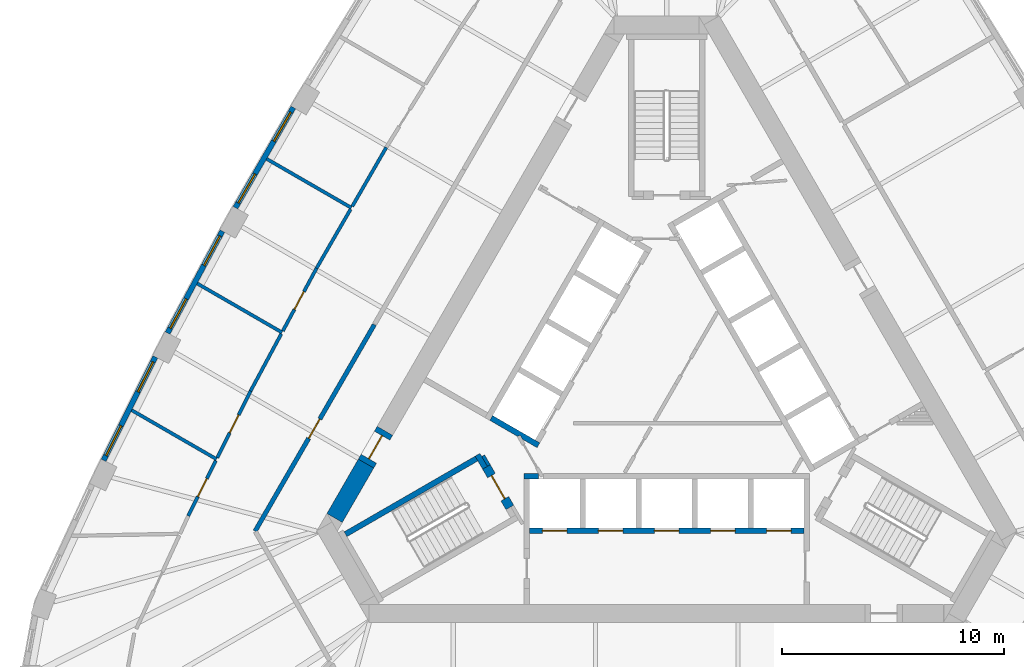
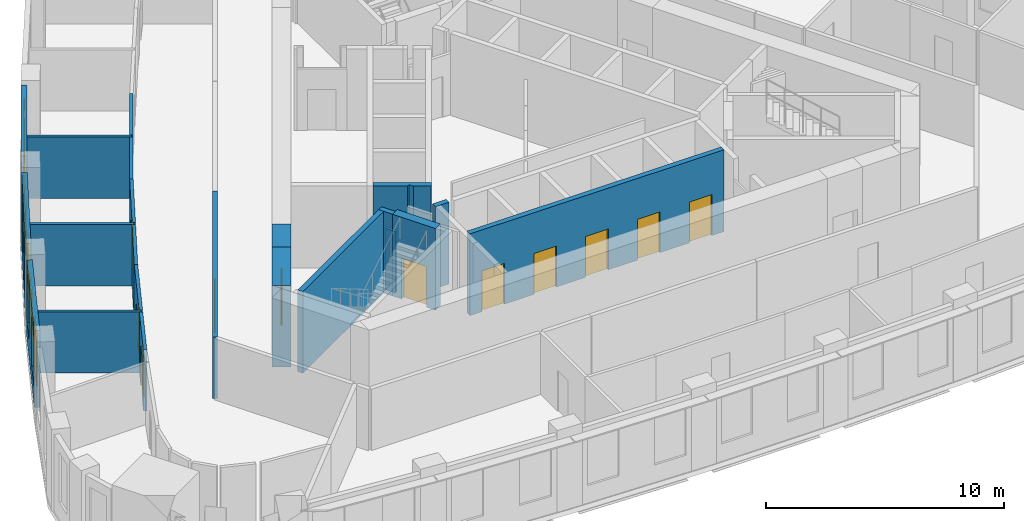
# One storey, part 4 of 11: 22 walls, 11 doors, 6 windows, 17 openings.
"""IFC4 building model written with IfcOpenShell, lengths in metres."""

from ifc_helpers import new_model, si_unit, direction, frame, frame_2d, origin, place, context, subcontext, project, spatial, polyline, rectangle, outline, extrude, material, layer, layer_set, type_object, element, fill, save


model = new_model("IFC4")

# Units and contexts
model_context = context("Model", 3, precision=1e-05, world=origin(), true_north=direction((0.0, 1.0)))
body_context = subcontext(model_context, "Body", "Model", "MODEL_VIEW")
ifc_project = project(units=[si_unit("LENGTHUNIT", "METRE"), si_unit("AREAUNIT", "SQUARE_METRE"), si_unit("VOLUMEUNIT", "CUBIC_METRE"), si_unit("PLANEANGLEUNIT", "RADIAN"), si_unit("MASSUNIT", "GRAM", prefix="KILO")], contexts=[model_context])

# Site, building, storey
site_placement = place(None, origin())
site = spatial("IfcSite", under=ifc_project, at=site_placement, CompositionType="ELEMENT")
building_placement = place(site_placement, origin())
building = spatial("IfcBuilding", under=site, at=building_placement, Name="Mestral Congress Tower", CompositionType="ELEMENT")
storey_placement = place(building_placement, frame((0.0, 0.0, 175.199951171875)))
storey = spatial("IfcBuildingStorey", under=building, at=storey_placement, Name="L41", CompositionType="ELEMENT", Elevation=175.199951171875)

# Walls
ifc_material_1 = material(Name="Fire-rated board partition")
ifc_layer_1 = layer(ifc_material_1, 0.14990234375)
ifc_layer_set_1 = layer_set([ifc_layer_1], Name="Fire-rated board partition")
wall_type_1 = type_object("IfcWallType", Name="Core partition 150", PredefinedType="PARTITIONING", material=ifc_layer_set_1)
wall_1_placement = place(storey_placement, frame((-8.251953125, -2.958251953125, 0.0), z_axis=(0.0, 0.0, 1.0), x_axis=(0.500174715838, -0.865924508047, 0.0)))
element("IfcWall", 1, at=wall_1_placement, inside=storey, type_object=wall_type_1, Name="L41 core wall", PredefinedType="PARTITIONING", context=body_context, shape_type="SweptSolid", body=[
    extrude(rectangle(XDim=0.513916015625, YDim=0.14990234375, at=frame_2d((0.2568359375, 0.0))), origin(), (0.0, 0.0, 1.0), 3.150146484375),
])
ifc_material_2 = material(Name="Concrete C60/75", Category="concrete")
ifc_layer_2 = layer(ifc_material_2, 0.800048828125)
ifc_layer_set_2 = layer_set([ifc_layer_2], Name="Concrete C60/75")
wall_type_2 = type_object("IfcWallType", Name="Core wall RC 800", PredefinedType="SOLIDWALL", material=ifc_layer_set_2)
wall_2_placement = place(storey_placement, frame((-13.518310546875, -3.314208984375, 0.0), z_axis=(0.0, 0.0, 1.0), x_axis=(-0.499969377405, -0.866043083026, 0.0)))
element("IfcWall", 2, at=wall_2_placement, inside=storey, type_object=wall_type_2, Name="L41 core wall", PredefinedType="SOLIDWALL", context=body_context, shape_type="SweptSolid", body=[
    extrude(rectangle(XDim=2.824462890625, YDim=0.800048828125, at=frame_2d((1.412109375, 0.0))), origin(), (0.0, 0.0, 1.0), 4.199951171875),
])

# Wall, opening, door
wall_3_placement = place(storey_placement, frame((-13.518310546875, -3.314208984375, 0.0), z_axis=(0.0, 0.0, 1.0), x_axis=(0.500000056704, 0.866025371046, 0.0)))
wall_3 = element("IfcWall", 3, at=wall_3_placement, inside=storey, type_object=wall_type_2, Name="L41 door wall", PredefinedType="SOLIDWALL", context=body_context, shape_type="SweptSolid", body=[
    extrude(rectangle(XDim=1.7001953125, YDim=0.800048828125, at=frame_2d((0.85009765625, 0.0))), origin(), (0.0, 0.0, 1.0), 4.199951171875),
])
opening_1_placement = place(wall_3_placement, frame((0.25, 0.0, 0.0)))
opening_1 = element("IfcOpeningElement", 4, at=opening_1_placement, cuts=wall_3, Name="Opening XD3", PredefinedType="OPENING", context=body_context, shape_type="SweptSolid", body=[
    extrude(rectangle(XDim=1.199951171875, YDim=2.10009765625, at=frame_2d((0.60009765625, 1.050048828125))), frame((0.0, 0.409912109375, 0.0), z_axis=(0.0, -1.0, 0.0), x_axis=(1.0, 0.0, 0.0)), (0.0, 0.0, 1.0), 0.820068359375),
])
ifc_material_3 = material(Name="Fire-rated steel door set", Category="steel")
door_type_1 = type_object("IfcDoorType", Name="Core door XD 1200x2100", OperationType="SINGLE_SWING_LEFT", PredefinedType="DOOR", material=ifc_material_3)
door_1_placement = place(opening_1_placement, origin())
door_1 = element("IfcDoor", 5, at=door_1_placement, inside=storey, type_object=door_type_1, Name="Door XD3", OperationType="SINGLE_SWING_LEFT", OverallHeight=2.10009765625, OverallWidth=1.199951171875, PredefinedType="DOOR", context=body_context, shape_type="SweptSolid", body=[
    extrude(rectangle(XDim=1.199951171875, YDim=2.10009765625, at=frame_2d((0.60009765625, 1.050048828125))), frame((0.0, 0.02490234375, 0.0), z_axis=(0.0, -1.0, 0.0), x_axis=(1.0, 0.0, 0.0)), (0.0, 0.0, 1.0), 0.050048828125),
])
fill(opening_1, door_1)

# Wall, openings, windows
ifc_material_4 = material(Name="Precast concrete C40/50 with limestone facing", Category="masonry")
ifc_layer_3 = layer(ifc_material_4, 0.239990234375)
ifc_layer_set_3 = layer_set([ifc_layer_3], Name="Precast concrete C40/50 with limestone facing")
wall_type_3 = type_object("IfcWallType", Name="Facade stone wall 240", PredefinedType="SOLIDWALL", material=ifc_layer_set_3)
wall_4_placement = place(storey_placement, frame((-16.788818359375, 12.697265625, 0.0), z_axis=(0.0, 0.0, 1.0), x_axis=(-0.500009456303, -0.866019944116, 0.0)))
wall_4 = element("IfcWall", 6, at=wall_4_placement, inside=storey, type_object=wall_type_3, Name="Facade wall F2-03", PredefinedType="SOLIDWALL", context=body_context, shape_type="SweptSolid", body=[
    extrude(rectangle(XDim=5.20361328125, YDim=0.239990234375, at=frame_2d((2.601806640625, 0.0))), origin(), (0.0, 0.0, 1.0), 3.949951171875),
])
opening_2_placement = place(wall_4_placement, frame((0.248291015625, 0.0, 0.89990234375)))
opening_2 = element("IfcOpeningElement", 7, at=opening_2_placement, cuts=wall_4, Name="Opening W4", PredefinedType="OPENING", context=body_context, shape_type="SweptSolid", body=[
    extrude(rectangle(XDim=1.5, YDim=2.550048828125, at=frame_2d((0.75, 1.27490234375))), frame((0.0, 0.1298828125, 0.0), z_axis=(0.0, -1.0, 0.0), x_axis=(1.0, 0.0, 0.0)), (0.0, 0.0, 1.0), 0.260009765625),
])
opening_3_placement = place(wall_4_placement, frame((3.455078125, 0.0, 0.89990234375)))
opening_3 = element("IfcOpeningElement", 8, at=opening_3_placement, cuts=wall_4, Name="Opening W4", PredefinedType="OPENING", context=body_context, shape_type="SweptSolid", body=[
    extrude(rectangle(XDim=1.5, YDim=2.550048828125, at=frame_2d((0.75, 1.27490234375))), frame((0.0, 0.1298828125, 0.0), z_axis=(0.0, -1.0, 0.0), x_axis=(1.0, 0.0, 0.0)), (0.0, 0.0, 1.0), 0.260009765625),
])
ifc_material_5 = material(Name="Clear low-emissivity double glazing", Category="glass")
window_type = type_object("IfcWindowType", Name="Facade punched window 1500 x 2550 sill 900", PartitioningType="SINGLE_PANEL", PredefinedType="WINDOW", material=ifc_material_5)
window_1_placement = place(opening_2_placement, origin())
window_1 = element("IfcWindow", 9, at=window_1_placement, inside=storey, type_object=window_type, Name="Window F2-03a", OverallHeight=2.550048828125, OverallWidth=1.5, PartitioningType="SINGLE_PANEL", PredefinedType="WINDOW", context=body_context, shape_type="SweptSolid", body=[
    extrude(rectangle(XDim=1.5, YDim=2.550048828125, at=frame_2d((0.75, 1.27490234375))), frame((0.0, 0.0400390625, 0.0), z_axis=(0.0, -1.0, 0.0), x_axis=(1.0, 0.0, 0.0)), (0.0, 0.0, 1.0), 0.06005859375),
])
fill(opening_2, window_1)
window_2_placement = place(opening_3_placement, origin())
window_2 = element("IfcWindow", 10, at=window_2_placement, inside=storey, type_object=window_type, Name="Window F2-03b", OverallHeight=2.550048828125, OverallWidth=1.5, PartitioningType="SINGLE_PANEL", PredefinedType="WINDOW", context=body_context, shape_type="SweptSolid", body=[
    extrude(rectangle(XDim=1.5, YDim=2.550048828125, at=frame_2d((0.75, 1.27490234375))), frame((0.0, 0.0400390625, 0.0), z_axis=(0.0, -1.0, 0.0), x_axis=(1.0, 0.0, 0.0)), (0.0, 0.0, 1.0), 0.06005859375),
])
fill(opening_3, window_2)

wall_5_placement = place(storey_placement, frame((-19.976806640625, 7.138671875, 0.0), z_axis=(0.0, 0.0, 1.0), x_axis=(-0.473349833294, -0.880874528704, 0.0)))
wall_5 = element("IfcWall", 11, at=wall_5_placement, inside=storey, type_object=wall_type_3, Name="Facade wall F2-04", PredefinedType="SOLIDWALL", context=body_context, shape_type="SweptSolid", body=[
    extrude(rectangle(XDim=5.20361328125, YDim=0.239990234375, at=frame_2d((2.601806640625, 0.0))), origin(), (0.0, 0.0, 1.0), 3.949951171875),
])
opening_4_placement = place(wall_5_placement, frame((0.248291015625, 0.0, 0.89990234375)))
opening_4 = element("IfcOpeningElement", 12, at=opening_4_placement, cuts=wall_5, Name="Opening W4", PredefinedType="OPENING", context=body_context, shape_type="SweptSolid", body=[
    extrude(rectangle(XDim=1.5, YDim=2.550048828125, at=frame_2d((0.75, 1.27490234375))), frame((0.0, 0.1298828125, 0.0), z_axis=(0.0, -1.0, 0.0), x_axis=(1.0, 0.0, 0.0)), (0.0, 0.0, 1.0), 0.260009765625),
])
opening_5_placement = place(wall_5_placement, frame((3.455078125, 0.0, 0.89990234375)))
opening_5 = element("IfcOpeningElement", 13, at=opening_5_placement, cuts=wall_5, Name="Opening W4", PredefinedType="OPENING", context=body_context, shape_type="SweptSolid", body=[
    extrude(rectangle(XDim=1.5, YDim=2.550048828125, at=frame_2d((0.75, 1.27490234375))), frame((0.0, 0.1298828125, 0.0), z_axis=(0.0, -1.0, 0.0), x_axis=(1.0, 0.0, 0.0)), (0.0, 0.0, 1.0), 0.260009765625),
])
window_3_placement = place(opening_4_placement, origin())
window_3 = element("IfcWindow", 14, at=window_3_placement, inside=storey, type_object=window_type, Name="Window F2-04a", OverallHeight=2.550048828125, OverallWidth=1.5, PartitioningType="SINGLE_PANEL", PredefinedType="WINDOW", context=body_context, shape_type="SweptSolid", body=[
    extrude(rectangle(XDim=1.5, YDim=2.550048828125, at=frame_2d((0.75, 1.27490234375))), frame((0.0, 0.0400390625, 0.0), z_axis=(0.0, -1.0, 0.0), x_axis=(1.0, 0.0, 0.0)), (0.0, 0.0, 1.0), 0.06005859375),
])
fill(opening_4, window_3)
window_4_placement = place(opening_5_placement, origin())
window_4 = element("IfcWindow", 15, at=window_4_placement, inside=storey, type_object=window_type, Name="Window F2-04b", OverallHeight=2.550048828125, OverallWidth=1.5, PartitioningType="SINGLE_PANEL", PredefinedType="WINDOW", context=body_context, shape_type="SweptSolid", body=[
    extrude(rectangle(XDim=1.5, YDim=2.550048828125, at=frame_2d((0.75, 1.27490234375))), frame((0.0, 0.0400390625, 0.0), z_axis=(0.0, -1.0, 0.0), x_axis=(1.0, 0.0, 0.0)), (0.0, 0.0, 1.0), 0.06005859375),
])
fill(opening_5, window_4)

wall_6_placement = place(storey_placement, frame((-22.993896484375, 1.485107421875, 0.0), z_axis=(0.0, 0.0, 1.0), x_axis=(-0.446256171312, -0.8949052629, 0.0)))
wall_6 = element("IfcWall", 16, at=wall_6_placement, inside=storey, type_object=wall_type_3, Name="Facade wall F2-05", PredefinedType="SOLIDWALL", context=body_context, shape_type="SweptSolid", body=[
    extrude(rectangle(XDim=5.203369140625, YDim=0.239990234375, at=frame_2d((2.6015625, 0.0))), origin(), (0.0, 0.0, 1.0), 3.949951171875),
])
opening_6_placement = place(wall_6_placement, frame((0.248291015625, 0.0, 0.89990234375)))
opening_6 = element("IfcOpeningElement", 17, at=opening_6_placement, cuts=wall_6, Name="Opening W4", PredefinedType="OPENING", context=body_context, shape_type="SweptSolid", body=[
    extrude(rectangle(XDim=1.5, YDim=2.550048828125, at=frame_2d((0.75, 1.27490234375))), frame((0.0, 0.1298828125, 0.0), z_axis=(0.0, -1.0, 0.0), x_axis=(1.0, 0.0, 0.0)), (0.0, 0.0, 1.0), 0.260009765625),
])
opening_7_placement = place(wall_6_placement, frame((3.455078125, 0.0, 0.89990234375)))
opening_7 = element("IfcOpeningElement", 18, at=opening_7_placement, cuts=wall_6, Name="Opening W4", PredefinedType="OPENING", context=body_context, shape_type="SweptSolid", body=[
    extrude(rectangle(XDim=1.5, YDim=2.550048828125, at=frame_2d((0.75, 1.27490234375))), frame((0.0, 0.1298828125, 0.0), z_axis=(0.0, -1.0, 0.0), x_axis=(1.0, 0.0, 0.0)), (0.0, 0.0, 1.0), 0.260009765625),
])
window_5_placement = place(opening_6_placement, origin())
window_5 = element("IfcWindow", 19, at=window_5_placement, inside=storey, type_object=window_type, Name="Window F2-05a", OverallHeight=2.550048828125, OverallWidth=1.5, PartitioningType="SINGLE_PANEL", PredefinedType="WINDOW", context=body_context, shape_type="SweptSolid", body=[
    extrude(rectangle(XDim=1.5, YDim=2.550048828125, at=frame_2d((0.75, 1.27490234375))), frame((0.0, 0.0400390625, 0.0), z_axis=(0.0, -1.0, 0.0), x_axis=(1.0, 0.0, 0.0)), (0.0, 0.0, 1.0), 0.06005859375),
])
fill(opening_6, window_5)
window_6_placement = place(opening_7_placement, origin())
window_6 = element("IfcWindow", 20, at=window_6_placement, inside=storey, type_object=window_type, Name="Window F2-05b", OverallHeight=2.550048828125, OverallWidth=1.5, PartitioningType="SINGLE_PANEL", PredefinedType="WINDOW", context=body_context, shape_type="SweptSolid", body=[
    extrude(rectangle(XDim=1.5, YDim=2.550048828125, at=frame_2d((0.75, 1.27490234375))), frame((0.0, 0.0400390625, 0.0), z_axis=(0.0, -1.0, 0.0), x_axis=(1.0, 0.0, 0.0)), (0.0, 0.0, 1.0), 0.06005859375),
])
fill(opening_7, window_6)

# Walls
ifc_material_6 = material(Name="Plasterboard partition on steel studs", Category="steel")
ifc_layer_4 = layer(ifc_material_6, 0.14990234375)
ifc_layer_set_4 = layer_set([ifc_layer_4], Name="Plasterboard partition on steel studs")
wall_type_4 = type_object("IfcWallType", Name="Office partition 150", PredefinedType="PARTITIONING", material=ifc_layer_set_4)
wall_7_placement = place(storey_placement, frame((-14.17529296875, 8.18408203125, 0.0), z_axis=(0.0, 0.0, 1.0), x_axis=(-0.866032203192, 0.499988222896, 0.0)))
element("IfcWall", 21, at=wall_7_placement, inside=storey, type_object=wall_type_4, Name="Partition", PredefinedType="PARTITIONING", context=body_context, shape_type="SweptSolid", body=[
    extrude(rectangle(XDim=4.39990234375, YDim=0.14990234375, at=frame_2d((2.199951171875, 0.0))), origin(), (0.0, 0.0, 1.0), 3.150146484375),
])
wall_8_placement = place(storey_placement, frame((-12.607666015625, 10.899169921875, 0.0), z_axis=(0.0, 0.0, 1.0), x_axis=(-0.499991792115, -0.866030142557, 0.0)))
element("IfcWall", 22, at=wall_8_placement, inside=storey, type_object=wall_type_4, Name="Partition", PredefinedType="PARTITIONING", context=body_context, shape_type="SweptSolid", body=[
    extrude(rectangle(XDim=3.06005859375, YDim=0.14990234375, at=frame_2d((1.530029296875, 0.0))), origin(), (0.0, 0.0, 1.0), 3.150146484375),
])
wall_9_placement = place(storey_placement, frame((-17.294677734375, 2.5810546875, 0.0), z_axis=(0.0, 0.0, 1.0), x_axis=(-0.866033195618, 0.499986503906, 0.0)))
element("IfcWall", 23, at=wall_9_placement, inside=storey, type_object=wall_type_4, Name="Partition", PredefinedType="PARTITIONING", context=body_context, shape_type="SweptSolid", body=[
    extrude(rectangle(XDim=4.40185546875, YDim=0.14990234375, at=frame_2d((2.200927734375, 0.0))), origin(), (0.0, 0.0, 1.0), 3.150146484375),
])
wall_10_placement = place(storey_placement, frame((-14.212890625, 8.119140625, 0.0), z_axis=(0.0, 0.0, 1.0), x_axis=(-0.499991792115, -0.866030142557, 0.0)))
element("IfcWall", 24, at=wall_10_placement, inside=storey, type_object=wall_type_4, Name="Partition", PredefinedType="PARTITIONING", context=body_context, shape_type="SweptSolid", body=[
    extrude(rectangle(XDim=3.06005859375, YDim=0.14990234375, at=frame_2d((1.530029296875, 0.0))), origin(), (0.0, 0.0, 1.0), 3.150146484375),
])

# Wall, opening, door
wall_11_placement = place(storey_placement, frame((-17.259033203125, 2.647216796875, 0.0), z_axis=(0.0, 0.0, 1.0), x_axis=(0.473299711777, 0.880901460341, 0.0)))
wall_11 = element("IfcWall", 25, at=wall_11_placement, inside=storey, type_object=wall_type_4, Name="Partition", PredefinedType="PARTITIONING", context=body_context, shape_type="SweptSolid", body=[
    extrude(rectangle(XDim=3.203369140625, YDim=0.14990234375, at=frame_2d((1.6015625, 0.0))), origin(), (0.0, 0.0, 1.0), 3.150146484375),
])
opening_8_placement = place(wall_11_placement, frame((1.103515625, 0.0, 0.0)))
opening_8 = element("IfcOpeningElement", 26, at=opening_8_placement, cuts=wall_11, Name="Opening O03-017", PredefinedType="OPENING", context=body_context, shape_type="SweptSolid", body=[
    extrude(rectangle(XDim=0.89990234375, YDim=2.10009765625, at=frame_2d((0.449951171875, 1.050048828125))), frame((0.0, 0.0849609375, 0.0), z_axis=(0.0, -1.0, 0.0), x_axis=(1.0, 0.0, 0.0)), (0.0, 0.0, 1.0), 0.169921875),
])
ifc_material_7 = material(Name="Timber door set", Category="wood")
door_type_2 = type_object("IfcDoorType", Name="Office door 900x2100", OperationType="SINGLE_SWING_LEFT", PredefinedType="DOOR", material=ifc_material_7)
door_2_placement = place(opening_8_placement, origin())
door_2 = element("IfcDoor", 27, at=door_2_placement, inside=storey, type_object=door_type_2, Name="Door O03-017", OperationType="SINGLE_SWING_LEFT", OverallHeight=2.10009765625, OverallWidth=0.89990234375, PredefinedType="DOOR", context=body_context, shape_type="SweptSolid", body=[
    extrude(rectangle(XDim=0.89990234375, YDim=2.10009765625, at=frame_2d((0.449951171875, 1.050048828125))), frame((0.0, 0.02490234375, 0.0), z_axis=(0.0, -1.0, 0.0), x_axis=(1.0, 0.0, 0.0)), (0.0, 0.0, 1.0), 0.050048828125),
])
fill(opening_8, door_2)

# Walls
wall_12_placement = place(storey_placement, frame((-20.23779296875, -3.11669921875, 0.0), z_axis=(0.0, 0.0, 1.0), x_axis=(-0.866026031126, 0.499998913411, 0.0)))
element("IfcWall", 28, at=wall_12_placement, inside=storey, type_object=wall_type_4, Name="Partition", PredefinedType="PARTITIONING", context=body_context, shape_type="SweptSolid", body=[
    extrude(rectangle(XDim=4.408203125, YDim=0.14990234375, at=frame_2d((2.2041015625, 0.0))), origin(), (0.0, 0.0, 1.0), 3.150146484375),
])
wall_13_placement = place(storey_placement, frame((-17.330078125, 2.514892578125, 0.0), z_axis=(0.0, 0.0, 1.0), x_axis=(-0.473335958085, -0.880881984595, 0.0)))
element("IfcWall", 29, at=wall_13_placement, inside=storey, type_object=wall_type_4, Name="Partition", PredefinedType="PARTITIONING", context=body_context, shape_type="SweptSolid", body=[
    extrude(rectangle(XDim=2.916748046875, YDim=0.14990234375, at=frame_2d((1.45849609375, 0.0))), origin(), (0.0, 0.0, 1.0), 3.150146484375),
])

# Wall, opening, door
wall_14_placement = place(storey_placement, frame((-20.2041015625, -3.04931640625, 0.0), z_axis=(0.0, 0.0, 1.0), x_axis=(0.446250363478, 0.894908159029, 0.0)))
wall_14 = element("IfcWall", 30, at=wall_14_placement, inside=storey, type_object=wall_type_4, Name="Partition", PredefinedType="PARTITIONING", context=body_context, shape_type="SweptSolid", body=[
    extrude(rectangle(XDim=3.3466796875, YDim=0.14990234375, at=frame_2d((1.67333984375, 0.0))), origin(), (0.0, 0.0, 1.0), 3.150146484375),
])
opening_9_placement = place(wall_14_placement, frame((1.24658203125, 0.0, 0.0)))
opening_9 = element("IfcOpeningElement", 31, at=opening_9_placement, cuts=wall_14, Name="Opening O03-018", PredefinedType="OPENING", context=body_context, shape_type="SweptSolid", body=[
    extrude(rectangle(XDim=0.89990234375, YDim=2.10009765625, at=frame_2d((0.449951171875, 1.050048828125))), frame((0.0, 0.0849609375, 0.0), z_axis=(0.0, -1.0, 0.0), x_axis=(1.0, 0.0, 0.0)), (0.0, 0.0, 1.0), 0.169921875),
])
door_3_placement = place(opening_9_placement, origin())
door_3 = element("IfcDoor", 32, at=door_3_placement, inside=storey, type_object=door_type_2, Name="Door O03-018", OperationType="SINGLE_SWING_RIGHT", OverallHeight=2.10009765625, OverallWidth=0.89990234375, PredefinedType="DOOR", context=body_context, shape_type="SweptSolid", body=[
    extrude(rectangle(XDim=0.89990234375, YDim=2.10009765625, at=frame_2d((0.449951171875, 1.050048828125))), frame((0.0, 0.02490234375, 0.0), z_axis=(0.0, -1.0, 0.0), x_axis=(1.0, 0.0, 0.0)), (0.0, 0.0, 1.0), 0.050048828125),
])
fill(opening_9, door_3)

wall_15_placement = place(storey_placement, frame((-21.5087890625, -5.666015625, 0.0), z_axis=(0.0, 0.0, 1.0), x_axis=(0.446192228952, 0.894937145739, 0.0)))
wall_15 = element("IfcWall", 33, at=wall_15_placement, inside=storey, type_object=wall_type_4, Name="Partition", PredefinedType="PARTITIONING", context=body_context, shape_type="SweptSolid", body=[
    extrude(rectangle(XDim=2.773681640625, YDim=0.14990234375, at=frame_2d((1.38671875, 0.0))), origin(), (0.0, 0.0, 1.0), 3.150146484375),
])
opening_10_placement = place(wall_15_placement, frame((0.973388671875, 0.0, 0.0)))
opening_10 = element("IfcOpeningElement", 34, at=opening_10_placement, cuts=wall_15, Name="Opening O03-019", PredefinedType="OPENING", context=body_context, shape_type="SweptSolid", body=[
    extrude(rectangle(XDim=0.89990234375, YDim=2.10009765625, at=frame_2d((0.449951171875, 1.050048828125))), frame((0.0, 0.0849609375, 0.0), z_axis=(0.0, -1.0, 0.0), x_axis=(1.0, 0.0, 0.0)), (0.0, 0.0, 1.0), 0.169921875),
])
door_4_placement = place(opening_10_placement, origin())
door_4 = element("IfcDoor", 35, at=door_4_placement, inside=storey, type_object=door_type_2, Name="Door O03-019", OperationType="SINGLE_SWING_RIGHT", OverallHeight=2.10009765625, OverallWidth=0.89990234375, PredefinedType="DOOR", context=body_context, shape_type="SweptSolid", body=[
    extrude(rectangle(XDim=0.89990234375, YDim=2.10009765625, at=frame_2d((0.449951171875, 1.050048828125))), frame((0.0, 0.02490234375, 0.0), z_axis=(0.0, -1.0, 0.0), x_axis=(1.0, 0.0, 0.0)), (0.0, 0.0, 1.0), 0.050048828125),
])
fill(opening_10, door_4)

ifc_material_8 = material(Name="Dense masonry wall, plastered", Category="masonry")
ifc_layer_5 = layer(ifc_material_8, 0.199951171875)
ifc_layer_set_5 = layer_set([ifc_layer_5], Name="Dense masonry wall, plastered")
wall_type_5 = type_object("IfcWallType", Name="Office tenancy wall 200", PredefinedType="PARTITIONING", material=ifc_layer_set_5)
wall_16_placement = place(storey_placement, frame((-13.1455078125, 2.931396484375, 0.0), z_axis=(0.0, 0.0, 1.0), x_axis=(-0.499997861235, -0.866026638597, 0.0)))
wall_16 = element("IfcWall", 36, at=wall_16_placement, inside=storey, type_object=wall_type_5, Name="Tenancy wall", PredefinedType="PARTITIONING", context=body_context, shape_type="SweptSolid", body=[
    extrude(rectangle(XDim=10.71728515625, YDim=0.199951171875, at=frame_2d((5.358642578125, 0.0))), origin(), (0.0, 0.0, 1.0), 3.150146484375),
])
opening_11_placement = place(wall_16_placement, frame((4.89990234375, 0.0, 0.0)))
opening_11 = element("IfcOpeningElement", 37, at=opening_11_placement, cuts=wall_16, Name="Opening O03-020", PredefinedType="OPENING", context=body_context, shape_type="SweptSolid", body=[
    extrude(rectangle(XDim=1.0, YDim=2.10009765625, at=frame_2d((0.5, 1.050048828125))), frame((0.0, 0.10986328125, 0.0), z_axis=(0.0, -1.0, 0.0), x_axis=(1.0, 0.0, 0.0)), (0.0, 0.0, 1.0), 0.219970703125),
])
ifc_material_9 = material(Name="Fire-rated timber door set", Category="wood")
door_type_3 = type_object("IfcDoorType", Name="Office tenancy entrance door 1000x2100", OperationType="SINGLE_SWING_LEFT", PredefinedType="DOOR", material=ifc_material_9)
door_5_placement = place(opening_11_placement, origin())
door_5 = element("IfcDoor", 38, at=door_5_placement, inside=storey, type_object=door_type_3, Name="Door O03-020", OperationType="SINGLE_SWING_RIGHT", OverallHeight=2.10009765625, OverallWidth=1.0, PredefinedType="DOOR", context=body_context, shape_type="SweptSolid", body=[
    extrude(rectangle(XDim=1.0, YDim=2.10009765625, at=frame_2d((0.5, 1.050048828125))), frame((0.0, 0.02490234375, 0.0), z_axis=(0.0, -1.0, 0.0), x_axis=(1.0, 0.0, 0.0)), (0.0, 0.0, 1.0), 0.050048828125),
])
fill(opening_11, door_5)

# Walls
ifc_layer_6 = layer(ifc_material_2, 0.25)
ifc_layer_set_6 = layer_set([ifc_layer_6], Name="Concrete C60/75")
wall_type_6 = type_object("IfcWallType", Name="Shaft wall RC 250", PredefinedType="SOLIDWALL", material=ifc_layer_set_6)
wall_17_placement = place(storey_placement, frame((-6.425048828125, -3.875, 0.0), z_axis=(0.0, 0.0, 1.0), x_axis=(1.0, 0.0, 0.0)))
element("IfcWall", 39, at=wall_17_placement, inside=storey, type_object=wall_type_6, Name="L41 core wall", PredefinedType="SOLIDWALL", context=body_context, shape_type="SweptSolid", body=[
    extrude(rectangle(XDim=0.657958984375, YDim=0.25, at=frame_2d((0.3291015625, 0.0))), origin(), (0.0, 0.0, 1.0), 4.199951171875),
])
wall_18_placement = place(storey_placement, origin())
element("IfcWall", 40, at=wall_18_placement, inside=storey, type_object=wall_type_6, Name="L41 core wall", PredefinedType="SOLIDWALL", context=body_context, shape_type="SweptSolid", body=[
    extrude(outline(polyline([(-5.921630859375, -2.256591796875), (-5.921630859375, -2.256591796875), (-5.705078125, -2.381591796875), (-5.830078125, -2.597900390625), (-6.48291015625, -2.22119140625), (-6.59130859375, -2.033447265625), (-6.59130859375, -2.033447265625), (-6.69970703125, -2.095947265625), (-7.951904296875, -1.373046875), (-7.826904296875, -1.156494140625), (-5.921630859375, -2.256591796875)])), origin(), (0.0, 0.0, 1.0), 4.199951171875),
])

# Wall, openings, doors
wall_19_placement = place(storey_placement, frame((-6.175048828125, -6.324951171875, 0.0), z_axis=(0.0, 0.0, 1.0), x_axis=(1.0, 0.0, 0.0)))
wall_19 = element("IfcWall", 41, at=wall_19_placement, inside=storey, type_object=wall_type_6, Name="L41 door wall", PredefinedType="SOLIDWALL", context=body_context, shape_type="SweptSolid", body=[
    extrude(rectangle(XDim=12.35009765625, YDim=0.25, at=frame_2d((6.175048828125, 0.0))), origin(), (0.0, 0.0, 1.0), 4.199951171875),
])
opening_12_placement = place(wall_19_placement, frame((0.5849609375, 0.0, 0.0)))
opening_12 = element("IfcOpeningElement", 42, at=opening_12_placement, cuts=wall_19, Name="Opening LD-SOB1", PredefinedType="OPENING", context=body_context, shape_type="SweptSolid", body=[
    extrude(rectangle(XDim=1.10009765625, YDim=2.10009765625, at=frame_2d((0.550048828125, 1.050048828125))), frame((0.0, 0.135009765625, 0.0), z_axis=(0.0, -1.0, 0.0), x_axis=(1.0, 0.0, 0.0)), (0.0, 0.0, 1.0), 0.27001953125),
])
opening_13_placement = place(wall_19_placement, frame((3.10498046875, 0.0, 0.0)))
opening_13 = element("IfcOpeningElement", 43, at=opening_13_placement, cuts=wall_19, Name="Opening LD-SOB2", PredefinedType="OPENING", context=body_context, shape_type="SweptSolid", body=[
    extrude(rectangle(XDim=1.10009765625, YDim=2.10009765625, at=frame_2d((0.550048828125, 1.050048828125))), frame((0.0, 0.135009765625, 0.0), z_axis=(0.0, -1.0, 0.0), x_axis=(1.0, 0.0, 0.0)), (0.0, 0.0, 1.0), 0.27001953125),
])
opening_14_placement = place(wall_19_placement, frame((5.625, 0.0, 0.0)))
opening_14 = element("IfcOpeningElement", 44, at=opening_14_placement, cuts=wall_19, Name="Opening LD-SOB3", PredefinedType="OPENING", context=body_context, shape_type="SweptSolid", body=[
    extrude(rectangle(XDim=1.10009765625, YDim=2.10009765625, at=frame_2d((0.550048828125, 1.050048828125))), frame((0.0, 0.135009765625, 0.0), z_axis=(0.0, -1.0, 0.0), x_axis=(1.0, 0.0, 0.0)), (0.0, 0.0, 1.0), 0.27001953125),
])
opening_15_placement = place(wall_19_placement, frame((8.14501953125, 0.0, 0.0)))
opening_15 = element("IfcOpeningElement", 45, at=opening_15_placement, cuts=wall_19, Name="Opening LD-SOB4", PredefinedType="OPENING", context=body_context, shape_type="SweptSolid", body=[
    extrude(rectangle(XDim=1.10009765625, YDim=2.10009765625, at=frame_2d((0.550048828125, 1.050048828125))), frame((0.0, 0.135009765625, 0.0), z_axis=(0.0, -1.0, 0.0), x_axis=(1.0, 0.0, 0.0)), (0.0, 0.0, 1.0), 0.27001953125),
])
opening_16_placement = place(wall_19_placement, frame((10.6650390625, 0.0, 0.0)))
opening_16 = element("IfcOpeningElement", 46, at=opening_16_placement, cuts=wall_19, Name="Opening LD-SOB5", PredefinedType="OPENING", context=body_context, shape_type="SweptSolid", body=[
    extrude(rectangle(XDim=1.10009765625, YDim=2.10009765625, at=frame_2d((0.550048828125, 1.050048828125))), frame((0.0, 0.135009765625, 0.0), z_axis=(0.0, -1.0, 0.0), x_axis=(1.0, 0.0, 0.0)), (0.0, 0.0, 1.0), 0.27001953125),
])
door_type_4 = type_object("IfcDoorType", Name="Core door LD 1100x2100", OperationType="DOUBLE_DOOR_SLIDING", PredefinedType="DOOR", material=ifc_material_3)
door_6_placement = place(opening_12_placement, origin())
door_6 = element("IfcDoor", 47, at=door_6_placement, inside=storey, type_object=door_type_4, Name="Door LD-SOB1", OperationType="DOUBLE_DOOR_SLIDING", OverallHeight=2.10009765625, OverallWidth=1.10009765625, PredefinedType="DOOR", context=body_context, shape_type="SweptSolid", body=[
    extrude(rectangle(XDim=1.10009765625, YDim=2.10009765625, at=frame_2d((0.550048828125, 1.050048828125))), frame((0.0, 0.02490234375, 0.0), z_axis=(0.0, -1.0, 0.0), x_axis=(1.0, 0.0, 0.0)), (0.0, 0.0, 1.0), 0.050048828125),
])
fill(opening_12, door_6)
door_7_placement = place(opening_13_placement, origin())
door_7 = element("IfcDoor", 48, at=door_7_placement, inside=storey, type_object=door_type_4, Name="Door LD-SOB2", OperationType="DOUBLE_DOOR_SLIDING", OverallHeight=2.10009765625, OverallWidth=1.10009765625, PredefinedType="DOOR", context=body_context, shape_type="SweptSolid", body=[
    extrude(rectangle(XDim=1.10009765625, YDim=2.10009765625, at=frame_2d((0.550048828125, 1.050048828125))), frame((0.0, 0.02490234375, 0.0), z_axis=(0.0, -1.0, 0.0), x_axis=(1.0, 0.0, 0.0)), (0.0, 0.0, 1.0), 0.050048828125),
])
fill(opening_13, door_7)
door_8_placement = place(opening_14_placement, origin())
door_8 = element("IfcDoor", 49, at=door_8_placement, inside=storey, type_object=door_type_4, Name="Door LD-SOB3", OperationType="DOUBLE_DOOR_SLIDING", OverallHeight=2.10009765625, OverallWidth=1.10009765625, PredefinedType="DOOR", context=body_context, shape_type="SweptSolid", body=[
    extrude(rectangle(XDim=1.10009765625, YDim=2.10009765625, at=frame_2d((0.550048828125, 1.050048828125))), frame((0.0, 0.02490234375, 0.0), z_axis=(0.0, -1.0, 0.0), x_axis=(1.0, 0.0, 0.0)), (0.0, 0.0, 1.0), 0.050048828125),
])
fill(opening_14, door_8)
door_9_placement = place(opening_15_placement, origin())
door_9 = element("IfcDoor", 50, at=door_9_placement, inside=storey, type_object=door_type_4, Name="Door LD-SOB4", OperationType="DOUBLE_DOOR_SLIDING", OverallHeight=2.10009765625, OverallWidth=1.10009765625, PredefinedType="DOOR", context=body_context, shape_type="SweptSolid", body=[
    extrude(rectangle(XDim=1.10009765625, YDim=2.10009765625, at=frame_2d((0.550048828125, 1.050048828125))), frame((0.0, 0.02490234375, 0.0), z_axis=(0.0, -1.0, 0.0), x_axis=(1.0, 0.0, 0.0)), (0.0, 0.0, 1.0), 0.050048828125),
])
fill(opening_15, door_9)
door_10_placement = place(opening_16_placement, origin())
door_10 = element("IfcDoor", 51, at=door_10_placement, inside=storey, type_object=door_type_4, Name="Door LD-SOB5", OperationType="DOUBLE_DOOR_SLIDING", OverallHeight=2.10009765625, OverallWidth=1.10009765625, PredefinedType="DOOR", context=body_context, shape_type="SweptSolid", body=[
    extrude(rectangle(XDim=1.10009765625, YDim=2.10009765625, at=frame_2d((0.550048828125, 1.050048828125))), frame((0.0, 0.02490234375, 0.0), z_axis=(0.0, -1.0, 0.0), x_axis=(1.0, 0.0, 0.0)), (0.0, 0.0, 1.0), 0.050048828125),
])
fill(opening_16, door_10)

# Walls
ifc_layer_7 = layer(ifc_material_2, 0.25)
ifc_layer_set_7 = layer_set([ifc_layer_7], Name="Concrete C60/75")
wall_type_7 = type_object("IfcWallType", Name="Stair wall RC 250", PredefinedType="SOLIDWALL", material=ifc_layer_set_7)
wall_20_placement = place(storey_placement, frame((-14.43994140625, -6.489501953125, 0.0), z_axis=(0.0, 0.0, 1.0), x_axis=(0.866022966069, 0.500004222222, 0.0)))
element("IfcWall", 52, at=wall_20_placement, inside=storey, type_object=wall_type_7, Name="L41 core wall", PredefinedType="SOLIDWALL", context=body_context, shape_type="SweptSolid", body=[
    extrude(rectangle(XDim=6.80029296875, YDim=0.25, at=frame_2d((3.400146484375, 0.0))), origin(), (0.0, 0.0, 1.0), 4.199951171875),
])
wall_21_placement = place(storey_placement, frame((-8.167724609375, -3.503173828125, 0.0), z_axis=(0.0, 0.0, 1.0), x_axis=(-0.499952099219, 0.866053057547, 0.0)))
element("IfcWall", 53, at=wall_21_placement, inside=storey, type_object=wall_type_7, Name="L41 core wall", PredefinedType="SOLIDWALL", context=body_context, shape_type="SweptSolid", body=[
    extrude(rectangle(XDim=0.6748046875, YDim=0.25, at=frame_2d((0.33740234375, 0.0))), origin(), (0.0, 0.0, 1.0), 4.199951171875),
])

# Wall, opening, door
ifc_layer_8 = layer(ifc_material_2, 0.39990234375)
ifc_layer_set_8 = layer_set([ifc_layer_8], Name="Concrete C60/75")
wall_type_8 = type_object("IfcWallType", Name="Stair wall RC 250 door-wall 400", PredefinedType="SOLIDWALL", material=ifc_layer_set_8)
wall_22_placement = place(storey_placement, frame((-8.102783203125, -3.4658203125, 0.0), z_axis=(0.0, 0.0, 1.0), x_axis=(0.500078061341, -0.865980330357, 0.0)))
wall_22 = element("IfcWall", 54, at=wall_22_placement, inside=storey, type_object=wall_type_8, Name="L41 door wall", PredefinedType="SOLIDWALL", context=body_context, shape_type="SweptSolid", body=[
    extrude(rectangle(XDim=2.099853515625, YDim=0.39990234375, at=frame_2d((1.0498046875, 0.0))), origin(), (0.0, 0.0, 1.0), 4.199951171875),
])
opening_17_placement = place(wall_22_placement, frame((0.449951171875, 0.0, 0.0)))
opening_17 = element("IfcOpeningElement", 55, at=opening_17_placement, cuts=wall_22, Name="Opening ST-D3", PredefinedType="OPENING", context=body_context, shape_type="SweptSolid", body=[
    extrude(rectangle(XDim=1.199951171875, YDim=2.10009765625, at=frame_2d((0.60009765625, 1.050048828125))), frame((0.0, 0.2099609375, 0.0), z_axis=(0.0, -1.0, 0.0), x_axis=(1.0, 0.0, 0.0)), (0.0, 0.0, 1.0), 0.419921875),
])
door_type_5 = type_object("IfcDoorType", Name="Core door ST 1200x2100", OperationType="SINGLE_SWING_LEFT", PredefinedType="DOOR", material=ifc_material_3)
door_11_placement = place(opening_17_placement, origin())
door_11 = element("IfcDoor", 56, at=door_11_placement, inside=storey, type_object=door_type_5, Name="Door ST-D3", OperationType="SINGLE_SWING_LEFT", OverallHeight=2.10009765625, OverallWidth=1.199951171875, PredefinedType="DOOR", context=body_context, shape_type="SweptSolid", body=[
    extrude(rectangle(XDim=1.199951171875, YDim=2.10009765625, at=frame_2d((0.60009765625, 1.050048828125))), frame((0.0, 0.02490234375, 0.0), z_axis=(0.0, -1.0, 0.0), x_axis=(1.0, 0.0, 0.0)), (0.0, 0.0, 1.0), 0.050048828125),
])
fill(opening_17, door_11)

save(model, "model.ifc")
